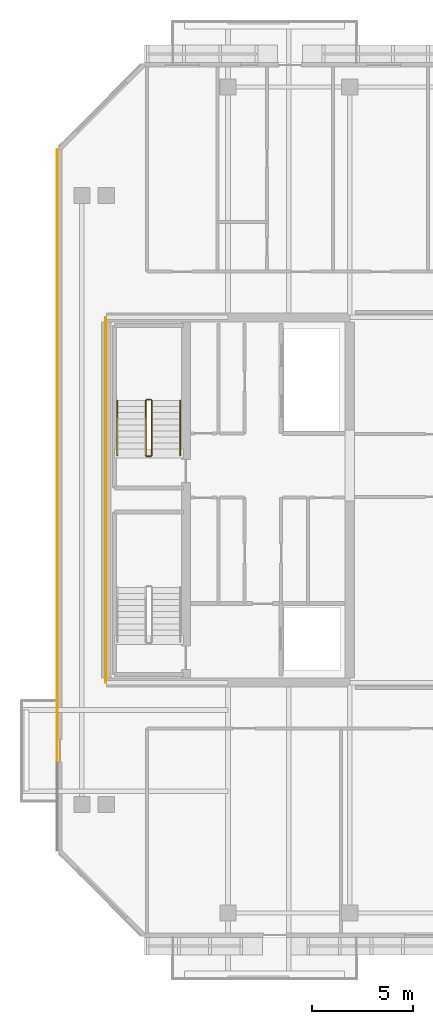
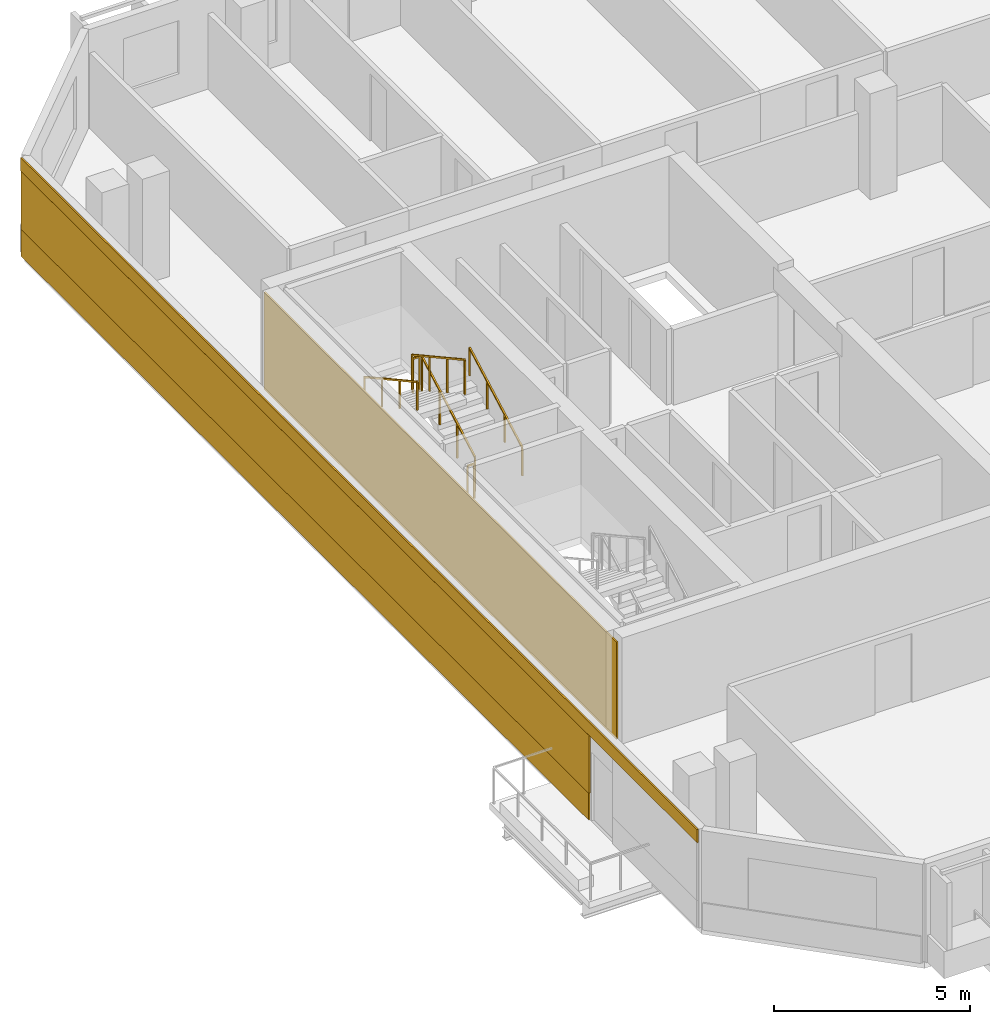
# One storey, part 18 of 22: 6 railings, 4 coverings.
"""IFC4 building model written with IfcOpenShell, lengths in metres."""

import ifcopenshell
import ifcopenshell.guid

model = None  # the IFC model being written
_history = None  # IfcOwnerHistory: only IFC2X3 demands one
_inside = {}  # id of a spatial element -> (the spatial element, [elements in it])
_under = {}  # id of a project, library or spatial element -> (it, [spatial elements below it])
_declared = {}  # id of a project -> (the project, [libraries it declares])
_typed = {}  # id of a type object -> (the type object, [elements of that type])
_made_of = {}  # id of a material, layer set ... -> (it, [elements and type objects made of it])


def new_model(schema):
    """Start an empty IFC model of exactly this schema.

    Asked for "IFC4X3", IfcOpenShell would pick the latest addendum, in which some entities
    have other attributes; the version numbers below select the first issue.
    IFC2X3 requires an IfcOwnerHistory on every rooted entity: one is made here for all.
    """
    global model, _history
    if schema == "IFC4X3":
        model = ifcopenshell.file(schema_version=(4, 3, 0, 0))
    else:
        model = ifcopenshell.file(schema=schema)
    _inside.clear()
    _under.clear()
    _declared.clear()
    _typed.clear()
    _made_of.clear()
    _history = None
    if model.schema == "IFC2X3":
        org = make("IfcOrganization", Name="unknown")
        user = make(
            "IfcPersonAndOrganization",
            ThePerson=make("IfcPerson", FamilyName="unknown"),
            TheOrganization=org,
        )
        app = make(
            "IfcApplication",
            ApplicationDeveloper=org,
            Version="unknown",
            ApplicationFullName="unknown",
            ApplicationIdentifier="unknown",
        )
        _history = make(
            "IfcOwnerHistory",
            OwningUser=user,
            OwningApplication=app,
            ChangeAction="ADDED",
            CreationDate=0,
        )
    return model


def make(cls, **values):
    """One entity of the class cls with the attributes given. An attribute that is None is left unset."""
    return model.create_entity(
        cls, **{name: value for name, value in values.items() if value is not None}
    )


def rooted(cls, **values):
    """An entity with a GlobalId (a new one), such as an element, a storey or a relation."""
    return make(cls, GlobalId=ifcopenshell.guid.new(), OwnerHistory=_history, **values)


def si_unit(unit_type, name, prefix=None):
    """IfcSIUnit, for example si_unit("LENGTHUNIT", "METRE", prefix="MILLI")."""
    return make("IfcSIUnit", UnitType=unit_type, Prefix=prefix, Name=name)


def assignment(units):
    """IfcUnitAssignment: the units of a project."""
    return None if units is None else make("IfcUnitAssignment", Units=units)


def point(xyz):
    """IfcCartesianPoint."""
    return None if xyz is None else make("IfcCartesianPoint", Coordinates=xyz)


def direction(xyz):
    """IfcDirection."""
    return None if xyz is None else make("IfcDirection", DirectionRatios=xyz)


def frame(location, z_axis=None, x_axis=None):
    """IfcAxis2Placement3D, a coordinate frame: its origin and axes. An axis left out is left unset."""
    return make(
        "IfcAxis2Placement3D",
        Location=point(location),
        Axis=direction(z_axis),
        RefDirection=direction(x_axis),
    )


def frame_2d(location, x_axis=None):
    """IfcAxis2Placement2D, a coordinate frame in the plane: its origin and x axis."""
    return make(
        "IfcAxis2Placement2D", Location=point(location), RefDirection=direction(x_axis)
    )


def origin():
    """The frame at (0, 0, 0) with its axes left unset."""
    return frame((0.0, 0.0, 0.0))


def origin_2d():
    """The frame at (0, 0) in the plane with its x axis left unset."""
    return frame_2d((0.0, 0.0))


def place(relative_to, where):
    """IfcLocalPlacement: puts the frame where relative to a parent placement (None: the world)."""
    return make(
        "IfcLocalPlacement", PlacementRelTo=relative_to, RelativePlacement=where
    )


def context(
    kind, dimensions, precision=None, world=None, true_north=None, identifier=None
):
    """IfcGeometricRepresentationContext, for example the 3D "Model" context."""
    return make(
        "IfcGeometricRepresentationContext",
        ContextIdentifier=identifier,
        ContextType=kind,
        CoordinateSpaceDimension=dimensions,
        Precision=precision,
        WorldCoordinateSystem=world,
        TrueNorth=true_north,
    )


def subcontext(parent, identifier, kind, view, scale=None):
    """IfcGeometricRepresentationSubContext, for example "Body" below "Model"."""
    return make(
        "IfcGeometricRepresentationSubContext",
        ContextIdentifier=identifier,
        ContextType=kind,
        ParentContext=parent,
        TargetScale=scale,
        TargetView=view,
    )


def project(units=None, contexts=None):
    """IfcProject with its units and contexts."""
    return rooted(
        "IfcProject",
        Name="project",
        RepresentationContexts=contexts,
        UnitsInContext=assignment(units),
    )


def spatial(cls, under=None, at=None, **own):
    """A site, building, storey or space (cls), placed at a placement, below another one or the project."""
    s = rooted(cls, ObjectPlacement=at, **own)
    if under is not None:
        _under.setdefault(under.id(), (under, []))[1].append(s)
    return s


def profile(cls, at=None, kind="AREA", **sizes):
    """A parametric profile (cls). Its sizes go by their IFC names, for example OverallWidth=200.0."""
    return make(cls, ProfileType=kind, Position=at, **sizes)


def rectangle(**sizes):
    """IfcRectangleProfileDef."""
    return profile("IfcRectangleProfileDef", **sizes)


def extrude(swept, where, along, depth):
    """IfcExtrudedAreaSolid: the profile swept, set in the frame where, extruded along a direction by depth."""
    return make(
        "IfcExtrudedAreaSolid",
        SweptArea=swept,
        Position=where,
        ExtrudedDirection=direction(along),
        Depth=depth,
    )


def shape(context_of_items, identifier, shape_type, items):
    """IfcShapeRepresentation: the items that make up one representation, for example the "Body"."""
    return make(
        "IfcShapeRepresentation",
        ContextOfItems=context_of_items,
        RepresentationIdentifier=identifier,
        RepresentationType=shape_type,
        Items=items,
    )


def material(Name=None, Category=None):
    """IfcMaterial."""
    return make("IfcMaterial", Name=Name, Category=Category)


def layer(
    of_material, thickness, ventilated=None, Name=None, Category=None, Priority=None
):
    """IfcMaterialLayer: one layer of a wall or slab, of a material (None: an air gap)."""
    return make(
        "IfcMaterialLayer",
        Material=of_material,
        LayerThickness=thickness,
        IsVentilated=ventilated,
        Name=Name,
        Category=Category,
        Priority=Priority,
    )


def layer_set(layers, Name=None):
    """IfcMaterialLayerSet."""
    return make("IfcMaterialLayerSet", MaterialLayers=layers, LayerSetName=Name)


def made_of(thing, what):
    """Note that an element or type object is made of a material, layer set ...; save() writes the relation."""
    if what is not None:
        _made_of.setdefault(what.id(), (what, []))[1].append(thing)
    return thing


def type_object(cls, material=None, **own):
    """A type object (cls), such as IfcWallType, which elements share."""
    return made_of(rooted(cls, **own), material)


def element(
    cls,
    number,
    at=None,
    inside=None,
    cuts=None,
    type_object=None,
    material=None,
    context=None,
    identifier="Body",
    shape_type=None,
    held_by="IfcProductDefinitionShape",
    body=None,
    shapes=None,
    **own,
):
    """One element of the class cls, such as IfcWall. Its Tag is "e" and its number.

    at: its placement. inside: the storey or other place that contains it. cuts: it is an
    opening in that element (IfcRelVoidsElement). A single representation is given by context,
    identifier, shape_type and body (its items); several are given by shapes. held_by: the class
    of the entity that holds the representations. save() writes the other relations.
    """
    e = rooted(cls, Tag="e%d" % number, ObjectPlacement=at, **own)
    if body is not None:
        shapes = [shape(context, identifier, shape_type, body)]
    if shapes is not None:
        e.Representation = make(held_by, Representations=shapes)
    if inside is not None:
        _inside.setdefault(inside.id(), (inside, []))[1].append(e)
    if cuts is not None:
        rooted(
            "IfcRelVoidsElement", RelatingBuildingElement=cuts, RelatedOpeningElement=e
        )
    if type_object is not None:
        _typed.setdefault(type_object.id(), (type_object, []))[1].append(e)
    return made_of(e, material)


def aggregate(whole, parts):
    """IfcRelAggregates: a whole, such as a stair, and the parts it consists of."""
    return rooted("IfcRelAggregates", RelatingObject=whole, RelatedObjects=parts)


def save(model, path):
    """Write the relations noted so far, then the file.

    IfcRelAggregates (storeys below a building ...), IfcRelContainedInSpatialStructure (elements
    in a storey), IfcRelDefinesByType, IfcRelAssociatesMaterial and IfcRelDeclares: one each for
    every whole, place, type object, material and project.
    """
    for whole, parts in _under.values():
        aggregate(whole, parts)
    for where, things in _inside.values():
        rooted(
            "IfcRelContainedInSpatialStructure",
            RelatedElements=things,
            RelatingStructure=where,
        )
    for kind, things in _typed.values():
        rooted("IfcRelDefinesByType", RelatedObjects=things, RelatingType=kind)
    for what, things in _made_of.values():
        rooted("IfcRelAssociatesMaterial", RelatedObjects=things, RelatingMaterial=what)
    for by, libraries in _declared.values():
        rooted("IfcRelDeclares", RelatingContext=by, RelatedDefinitions=libraries)
    model.write(path)


model = new_model("IFC4")

# Units and contexts
model_context = context("Model", 3, precision=1e-05, world=origin(), true_north=direction((0.0, 1.0)))
body_context = subcontext(model_context, "Body", "Model", "MODEL_VIEW")
ifc_project = project(units=[si_unit("LENGTHUNIT", "METRE"), si_unit("AREAUNIT", "SQUARE_METRE"), si_unit("VOLUMEUNIT", "CUBIC_METRE"), si_unit("PLANEANGLEUNIT", "RADIAN"), si_unit("MASSUNIT", "GRAM", prefix="KILO")], contexts=[model_context])

# Site, building, storey
site_placement = place(None, origin())
site = spatial("IfcSite", under=ifc_project, at=site_placement, CompositionType="ELEMENT")
building_placement = place(site_placement, origin())
building = spatial("IfcBuilding", under=site, at=building_placement, Name="Tanjung Sevakor Pilgrim Tower", CompositionType="ELEMENT")
storey_placement = place(building_placement, frame((0.0, 0.0, 195.030029296875)))
storey = spatial("IfcBuildingStorey", under=building, at=storey_placement, Name="L54", CompositionType="ELEMENT", Elevation=195.030029296875)

# Coverings
ifc_material_1 = material(Name="Reconstructed Limestone Cladding", Category="masonry")
ifc_layer = layer(ifc_material_1, 0.044921875)
ifc_layer_set = layer_set([ifc_layer], Name="COV-CLAD-LIMESTONE")
covering_type = type_object("IfcCoveringType", Name="COV-CLAD-LIMESTONE", PredefinedType="CLADDING", material=ifc_layer_set)
covering_1_placement = place(storey_placement, frame((21.577392578125, 36.3623046875, 0.009765625), z_axis=(0.0, 0.0, 1.0), x_axis=(0.0, -1.0, 0.0)))
element("IfcCovering", 1, at=covering_1_placement, inside=storey, type_object=covering_type, Name="L54 Warm Limestone Sill Spandrel EW-L54-MAIN-15-1", PredefinedType="CLADDING", context=body_context, shape_type="SweptSolid", body=[
    extrude(rectangle(XDim=29.00439453125, YDim=0.044921875, at=origin_2d()), origin(), (0.0, 0.0, 1.0), 0.840087890625),
])
covering_2_placement = place(storey_placement, frame((21.577392578125, 33.60009765625, 2.66015625), z_axis=(0.0, 0.0, 1.0), x_axis=(0.0, -1.0, 0.0)))
element("IfcCovering", 2, at=covering_2_placement, inside=storey, type_object=covering_type, Name="L54 Warm Limestone Cornice Spandrel EW-L54-MAIN-15", PredefinedType="CLADDING", context=body_context, shape_type="SweptSolid", body=[
    extrude(rectangle(XDim=34.56884765625, YDim=0.044921875, at=origin_2d()), origin(), (0.0, 0.0, 1.0), 0.409912109375),
])
covering_3_placement = place(storey_placement, frame((21.577392578125, 36.357177734375, 0.849853515625), z_axis=(0.0, 0.0, 1.0), x_axis=(0.0, -1.0, 0.0)))
element("IfcCovering", 3, at=covering_3_placement, inside=storey, type_object=covering_type, Name="L54 Warm Limestone Pier Panel EW-L54-MAIN-15-1", PredefinedType="CLADDING", context=body_context, shape_type="SweptSolid", body=[
    extrude(rectangle(XDim=29.014404296875, YDim=0.044921875, at=origin_2d()), origin(), (0.0, 0.0, 1.0), 1.81005859375),
])
covering_4_placement = place(storey_placement, frame((23.9775390625, 33.60009765625, 0.02001953125), z_axis=(0.0, 0.0, 1.0), x_axis=(1.0, 0.0, 0.0)))
element("IfcCovering", 4, at=covering_4_placement, inside=storey, type_object=covering_type, Name="L54 Expressed Core Warm Limestone Cladding W", PredefinedType="CLADDING", context=body_context, shape_type="SweptSolid", body=[
    extrude(rectangle(XDim=0.044921875, YDim=18.0, at=origin_2d()), origin(), (0.0, 0.0, 1.0), 3.0400390625),
])

# Railings
ifc_material_2 = material(Name="Steel S355J2", Category="steel")
railing_type_1 = type_object("IfcRailingType", Name="RL-STAIR-GUARD", PredefinedType="GUARDRAIL", material=ifc_material_2)
railing_1_placement = place(storey_placement, frame((26.25, 35.800048828125, 0.1650390625)))
element("IfcRailing", 5, at=railing_1_placement, inside=storey, type_object=railing_type_1, Name="L54 TS-W2 stair guard 1", PredefinedType="GUARDRAIL", context=body_context, shape_type="SweptSolid", body=[
    extrude(rectangle(XDim=0.0479, YDim=0.0479), frame((0.0, 0.0, 1.076171875), z_axis=(0.0, 0.876230963923, 0.481891375584), x_axis=(-1.0, 0.0, 0.0)), (0.0, 0.0, 1.0), 3.081298828125),
    extrude(rectangle(XDim=0.042, YDim=0.042), origin(), (0.0, 0.0, 1.0), 1.052001953125),
    extrude(rectangle(XDim=0.042, YDim=0.042), frame((0.0, 0.89990234375, 0.494873046875)), (0.0, 0.0, 1.0), 1.052001953125),
    extrude(rectangle(XDim=0.042, YDim=0.042), frame((0.0, 1.800048828125, 0.989990234375)), (0.0, 0.0, 1.0), 1.052001953125),
    extrude(rectangle(XDim=0.042, YDim=0.042), frame((0.0, 2.699951171875, 1.48486328125)), (0.0, 0.0, 1.0), 1.052001953125),
])
railing_2_placement = place(storey_placement, frame((26.199951171875, 38.550048828125, 1.64990234375)))
element("IfcRailing", 6, at=railing_2_placement, inside=storey, type_object=railing_type_1, Name="L54 TS-W2 stair guard 2", PredefinedType="GUARDRAIL", context=body_context, shape_type="SweptSolid", body=[
    extrude(rectangle(XDim=0.0479, YDim=0.0479), frame((0.0, 0.0, 1.076171875), z_axis=(-1.0, 0.0, 0.0), x_axis=(0.0, -1.0, 0.0)), (0.0, 0.0, 1.0), 0.199951171875),
    extrude(rectangle(XDim=0.042, YDim=0.042), origin(), (0.0, 0.0, 1.0), 1.052001953125),
    extrude(rectangle(XDim=0.042, YDim=0.042), frame((-0.199951171875, 0.0, 0.0)), (0.0, 0.0, 1.0), 1.052001953125),
])
railing_3_placement = place(storey_placement, frame((25.949951171875, 38.5, 1.81494140625)))
element("IfcRailing", 7, at=railing_3_placement, inside=storey, type_object=railing_type_1, Name="L54 TS-W2 stair guard 3", PredefinedType="GUARDRAIL", context=body_context, shape_type="SweptSolid", body=[
    extrude(rectangle(XDim=0.0479, YDim=0.0479), frame((0.0, 0.0, 1.076171875), z_axis=(0.0, -0.876197507361, 0.481952205197), x_axis=(1.0, 0.0, 0.0)), (0.0, 0.0, 1.0), 3.08154296875),
    extrude(rectangle(XDim=0.042, YDim=0.042), origin(), (0.0, 0.0, 1.0), 1.052001953125),
    extrude(rectangle(XDim=0.042, YDim=0.042), frame((0.0, -0.89990234375, 0.4951171875)), (0.0, 0.0, 1.0), 1.052001953125),
    extrude(rectangle(XDim=0.042, YDim=0.042), frame((0.0, -1.800048828125, 0.989990234375)), (0.0, 0.0, 1.0), 1.052001953125),
    extrude(rectangle(XDim=0.042, YDim=0.042), frame((0.0, -2.699951171875, 1.485107421875)), (0.0, 0.0, 1.0), 1.052001953125),
])
railing_4_placement = place(storey_placement, frame((26.199951171875, 35.75, 0.0)))
element("IfcRailing", 8, at=railing_4_placement, inside=storey, type_object=railing_type_1, Name="L54 TS-W2 stair guard 4", PredefinedType="GUARDRAIL", context=body_context, shape_type="SweptSolid", body=[
    extrude(rectangle(XDim=0.0479, YDim=0.0479), frame((0.0, 0.0, 1.076171875), z_axis=(-1.0, 0.0, 0.0), x_axis=(0.0, -1.0, 0.0)), (0.0, 0.0, 1.0), 0.199951171875),
    extrude(rectangle(XDim=0.042, YDim=0.042), origin(), (0.0, 0.0, 1.0), 1.052001953125),
    extrude(rectangle(XDim=0.042, YDim=0.042), frame((-0.199951171875, 0.0, 0.0)), (0.0, 0.0, 1.0), 1.052001953125),
])
ifc_material_3 = material(Name="Steel S355J2", Category="steel")
railing_type_2 = type_object("IfcRailingType", Name="RL-STAIR-HAND", PredefinedType="HANDRAIL", material=ifc_material_3)
railing_5_placement = place(storey_placement, frame((27.64990234375, 35.800048828125, 0.1650390625)))
element("IfcRailing", 9, at=railing_5_placement, inside=storey, type_object=railing_type_2, Name="L54 TS-W2 stair handrail 1", PredefinedType="HANDRAIL", context=body_context, shape_type="SweptSolid", body=[
    extrude(rectangle(XDim=0.0479, YDim=0.0479), frame((0.0, 0.0, 0.8759765625), z_axis=(0.0, 0.876230963923, 0.481891375584), x_axis=(-1.0, 0.0, 0.0)), (0.0, 0.0, 1.0), 3.081298828125),
    extrude(rectangle(XDim=0.042, YDim=0.042), origin(), (0.0, 0.0, 1.0), 0.851806640625),
    extrude(rectangle(XDim=0.042, YDim=0.042), frame((0.0, 0.89990234375, 0.494873046875)), (0.0, 0.0, 1.0), 0.851806640625),
    extrude(rectangle(XDim=0.042, YDim=0.042), frame((0.0, 1.800048828125, 0.989990234375)), (0.0, 0.0, 1.0), 0.851806640625),
    extrude(rectangle(XDim=0.042, YDim=0.042), frame((0.0, 2.699951171875, 1.48486328125)), (0.0, 0.0, 1.0), 0.851806640625),
])
railing_6_placement = place(storey_placement, frame((24.550048828125, 38.5, 1.81494140625)))
element("IfcRailing", 10, at=railing_6_placement, inside=storey, type_object=railing_type_2, Name="L54 TS-W2 stair handrail 2", PredefinedType="HANDRAIL", context=body_context, shape_type="SweptSolid", body=[
    extrude(rectangle(XDim=0.0479, YDim=0.0479), frame((0.0, 0.0, 0.8759765625), z_axis=(0.0, -0.876197507361, 0.481952205197), x_axis=(1.0, 0.0, 0.0)), (0.0, 0.0, 1.0), 3.08154296875),
    extrude(rectangle(XDim=0.042, YDim=0.042), origin(), (0.0, 0.0, 1.0), 0.851806640625),
    extrude(rectangle(XDim=0.042, YDim=0.042), frame((0.0, -0.89990234375, 0.4951171875)), (0.0, 0.0, 1.0), 0.851806640625),
    extrude(rectangle(XDim=0.042, YDim=0.042), frame((0.0, -1.800048828125, 0.989990234375)), (0.0, 0.0, 1.0), 0.851806640625),
    extrude(rectangle(XDim=0.042, YDim=0.042), frame((0.0, -2.699951171875, 1.485107421875)), (0.0, 0.0, 1.0), 0.851806640625),
])

save(model, "model.ifc")
